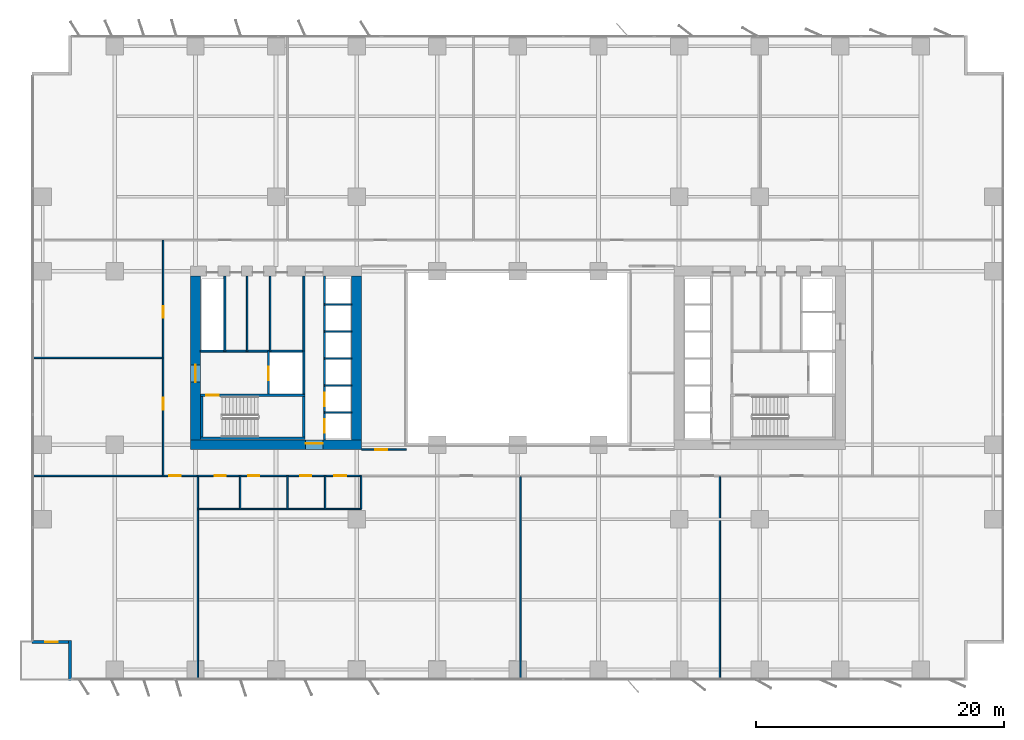
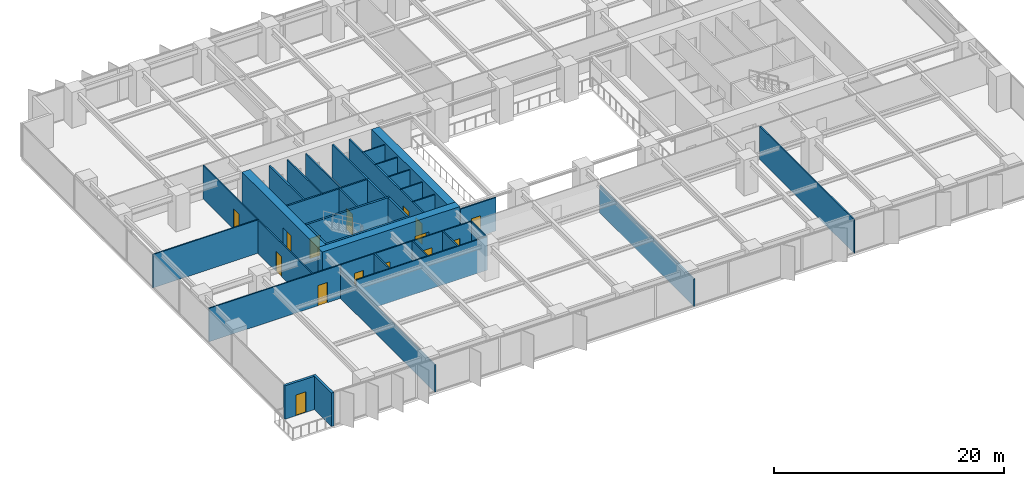
# One storey, part 13 of 21: 36 walls, 15 doors, 15 openings.
"""IFC4 building model written with IfcOpenShell, lengths in metres."""

from ifc_helpers import new_model, si_unit, direction, frame, frame_2d, origin, place, context, subcontext, project, spatial, rectangle, extrude, material, layer, layer_set, type_object, element, fill, save


model = new_model("IFC4")

# Units and contexts
model_context = context("Model", 3, precision=1e-05, world=origin(), true_north=direction((0.0, 1.0)))
body_context = subcontext(model_context, "Body", "Model", "MODEL_VIEW")
ifc_project = project(units=[si_unit("LENGTHUNIT", "METRE"), si_unit("AREAUNIT", "SQUARE_METRE"), si_unit("VOLUMEUNIT", "CUBIC_METRE"), si_unit("PLANEANGLEUNIT", "RADIAN"), si_unit("MASSUNIT", "GRAM", prefix="KILO")], contexts=[model_context])

# Site, building, storey
site_placement = place(None, origin())
site = spatial("IfcSite", under=ifc_project, at=site_placement, CompositionType="ELEMENT")
building_placement = place(site_placement, origin())
building = spatial("IfcBuilding", under=site, at=building_placement, Name="Putna Gate Headquarters", CompositionType="ELEMENT")
storey_placement = place(building_placement, frame((0.0, 0.0, 39.199951171875)))
storey = spatial("IfcBuildingStorey", under=building, at=storey_placement, Name="L08", CompositionType="ELEMENT", Elevation=39.199951171875)

# Wall, opening, door
ifc_material_1 = material(Name="Concrete C60/75", Category="concrete")
ifc_layer_1 = layer(ifc_material_1, 0.800048828125)
ifc_layer_set_1 = layer_set([ifc_layer_1], Name="Concrete C60/75")
wall_type_1 = type_object("IfcWallType", Name="WALL-CORE-800", PredefinedType="SHEAR", material=ifc_layer_set_1)
wall_1_placement = place(storey_placement, frame((12.60009765625, 19.0, 0.0), z_axis=(0.0, 0.0, 1.0), x_axis=(1.0, 0.0, 0.0)))
wall_1 = element("IfcWall", 1, at=wall_1_placement, inside=storey, type_object=wall_type_1, Name="L08 WC Split Core Shear Wall S", PredefinedType="SHEAR", context=body_context, shape_type="SweptSolid", body=[
    extrude(rectangle(XDim=13.7998046875, YDim=0.800048828125, at=frame_2d((6.89990234375, 0.0))), origin(), (0.0, 0.0, 1.0), 3.800048828125),
])
opening_1_placement = place(wall_1_placement, frame((9.280029296875, 0.0, 0.0)))
opening_1 = element("IfcOpeningElement", 2, at=opening_1_placement, cuts=wall_1, Name="Opening FDD-140", PredefinedType="OPENING", context=body_context, shape_type="SweptSolid", body=[
    extrude(rectangle(XDim=1.39990234375, YDim=2.199951171875, at=frame_2d((0.699951171875, 1.10009765625))), frame((0.0, 0.409912109375, 0.0), z_axis=(0.0, -1.0, 0.0), x_axis=(1.0, 0.0, 0.0)), (0.0, 0.0, 1.0), 0.820068359375),
])
ifc_material_2 = material(Name="Double steel fire door", Category="steel")
door_type_1 = type_object("IfcDoorType", Name="DOOR-FIRE-DBL-1400", OperationType="DOUBLE_DOOR_SINGLE_SWING", PredefinedType="DOOR", material=ifc_material_2)
door_1_placement = place(opening_1_placement, origin())
door_1 = element("IfcDoor", 3, at=door_1_placement, inside=storey, type_object=door_type_1, Name="L08 West Lift Lobby South Door", OperationType="DOUBLE_DOOR_SINGLE_SWING", OverallHeight=2.199951171875, OverallWidth=1.39990234375, PredefinedType="DOOR", context=body_context, shape_type="SweptSolid", body=[
    extrude(rectangle(XDim=1.39990234375, YDim=2.199951171875, at=frame_2d((0.699951171875, 1.10009765625))), frame((0.0, 0.125, 0.0), z_axis=(0.0, -1.0, 0.0), x_axis=(1.0, 0.0, 0.0)), (0.0, 0.0, 1.0), 0.050048828125),
])
fill(opening_1, door_1)

wall_2_placement = place(storey_placement, frame((13.0, 19.39990234375, 0.0), z_axis=(0.0, 0.0, 1.0), x_axis=(0.0, 1.0, 0.0)))
wall_2 = element("IfcWall", 4, at=wall_2_placement, inside=storey, type_object=wall_type_1, Name="L08 WC Split Core Shear Wall W", PredefinedType="SHEAR", context=body_context, shape_type="SweptSolid", body=[
    extrude(rectangle(XDim=13.2001953125, YDim=0.800048828125, at=frame_2d((6.60009765625, 0.0))), origin(), (0.0, 0.0, 1.0), 3.800048828125),
])
opening_2_placement = place(wall_2_placement, frame((4.64990234375, 0.0, 0.0)))
opening_2 = element("IfcOpeningElement", 5, at=opening_2_placement, cuts=wall_2, Name="Opening FDD-140", PredefinedType="OPENING", context=body_context, shape_type="SweptSolid", body=[
    extrude(rectangle(XDim=1.39990234375, YDim=2.199951171875, at=frame_2d((0.699951171875, 1.10009765625))), frame((0.0, 0.409912109375, 0.0), z_axis=(0.0, -1.0, 0.0), x_axis=(1.0, 0.0, 0.0)), (0.0, 0.0, 1.0), 0.820068359375),
])
door_2_placement = place(opening_2_placement, origin())
door_2 = element("IfcDoor", 6, at=door_2_placement, inside=storey, type_object=door_type_1, Name="L08 West Firefighting Lobby Door", OperationType="DOUBLE_DOOR_SINGLE_SWING", OverallHeight=2.199951171875, OverallWidth=1.39990234375, PredefinedType="DOOR", context=body_context, shape_type="SweptSolid", body=[
    extrude(rectangle(XDim=1.39990234375, YDim=2.199951171875, at=frame_2d((0.699951171875, 1.10009765625))), frame((0.0, 0.02490234375, 0.0), z_axis=(0.0, -1.0, 0.0), x_axis=(1.0, 0.0, 0.0)), (0.0, 0.0, 1.0), 0.050048828125),
])
fill(opening_2, door_2)

# Walls
wall_3_placement = place(storey_placement, frame((26.0, 19.39990234375, 0.0), z_axis=(0.0, 0.0, 1.0), x_axis=(0.0, 1.0, 0.0)))
element("IfcWall", 7, at=wall_3_placement, inside=storey, type_object=wall_type_1, Name="L08 WC Split Core Shear Wall E", PredefinedType="SHEAR", context=body_context, shape_type="SweptSolid", body=[
    extrude(rectangle(XDim=13.2001953125, YDim=0.800048828125, at=frame_2d((6.60009765625, 0.0))), origin(), (0.0, 0.0, 1.0), 3.800048828125),
])
ifc_material_3 = material(Name="Precast concrete C40/50", Category="concrete")
ifc_layer_2 = layer(ifc_material_3, 0.239990234375)
ifc_layer_set_2 = layer_set([ifc_layer_2], Name="Precast concrete C40/50")
wall_type_2 = type_object("IfcWallType", Name="WALL-EXT-TERR-240", PredefinedType="STANDARD", material=ifc_layer_set_2)
wall_4_placement = place(storey_placement, frame((2.8798828125, 0.0, 0.0), z_axis=(0.0, 0.0, 1.0), x_axis=(0.0, 1.0, 0.0)))
element("IfcWall", 8, at=wall_4_placement, inside=storey, type_object=wall_type_2, Name="L08 Corner Notch Return Wall SW-V", PredefinedType="STANDARD", context=body_context, shape_type="SweptSolid", body=[
    extrude(rectangle(XDim=3.199951171875, YDim=0.239990234375, at=frame_2d((1.60009765625, 0.0))), origin(), (0.0, 0.0, 1.0), 3.550048828125),
])

# Wall, opening, door
wall_5_placement = place(storey_placement, frame((3.0, 3.080078125, 0.0), z_axis=(0.0, 0.0, 1.0), x_axis=(-1.0, 0.0, 0.0)))
wall_5 = element("IfcWall", 9, at=wall_5_placement, inside=storey, type_object=wall_type_2, Name="L08 Corner Notch Return Wall SW-H", PredefinedType="STANDARD", context=body_context, shape_type="SweptSolid", body=[
    extrude(rectangle(XDim=3.199951171875, YDim=0.239990234375, at=frame_2d((1.60009765625, 0.0))), origin(), (0.0, 0.0, 1.0), 3.550048828125),
])
opening_3_placement = place(wall_5_placement, frame((1.10009765625, 0.0, 0.0)))
opening_3 = element("IfcOpeningElement", 10, at=opening_3_placement, cuts=wall_5, Name="Opening TRD-1", PredefinedType="OPENING", context=body_context, shape_type="SweptSolid", body=[
    extrude(rectangle(XDim=1.0, YDim=2.199951171875, at=frame_2d((0.5, 1.10009765625))), frame((0.0, 0.1298828125, 0.0), z_axis=(0.0, -1.0, 0.0), x_axis=(1.0, 0.0, 0.0)), (0.0, 0.0, 1.0), 0.260009765625),
])
ifc_material_4 = material(Name="Thermally broken bronze glazed terrace door")
door_type_2 = type_object("IfcDoorType", Name="DOOR-TERR-EXT-1000", OperationType="NOTDEFINED", PredefinedType="DOOR", material=ifc_material_4)
door_3_placement = place(opening_3_placement, origin())
door_3 = element("IfcDoor", 11, at=door_3_placement, inside=storey, type_object=door_type_2, Name="L08 Spiral Sky Terrace Door SW", OperationType="SINGLE_SWING_LEFT", OverallHeight=2.199951171875, OverallWidth=1.0, PredefinedType="DOOR", context=body_context, shape_type="SweptSolid", body=[
    extrude(rectangle(XDim=1.0, YDim=2.199951171875, at=frame_2d((0.5, 1.10009765625))), frame((0.0, 0.02490234375, 0.0), z_axis=(0.0, -1.0, 0.0), x_axis=(1.0, 0.0, 0.0)), (0.0, 0.0, 1.0), 0.050048828125),
])
fill(opening_3, door_3)

ifc_material_5 = material(Name="Acoustic gypsum board on metal stud")
ifc_layer_3 = layer(ifc_material_5, 0.1201171875)
ifc_layer_set_3 = layer_set([ifc_layer_3], Name="Acoustic gypsum board on metal stud")
wall_type_3 = type_object("IfcWallType", Name="WALL-PART-120", PredefinedType="PARTITIONING", material=ifc_layer_set_3)
wall_6_placement = place(storey_placement, frame((26.39990234375, 18.60009765625, 0.0), z_axis=(0.0, 0.0, 1.0), x_axis=(1.0, 0.0, 0.0)))
wall_6 = element("IfcWall", 12, at=wall_6_placement, inside=storey, type_object=wall_type_3, Name="L08 Interior Wall PART-L08-ATR-W-S", PredefinedType="PARTITIONING", context=body_context, shape_type="SweptSolid", body=[
    extrude(rectangle(XDim=3.60009765625, YDim=0.1201171875, at=frame_2d((1.800048828125, 0.0))), origin(), (0.0, 0.0, 1.0), 3.550048828125),
])
opening_4_placement = place(wall_6_placement, frame((1.10009765625, 0.0, 0.0)))
opening_4 = element("IfcOpeningElement", 13, at=opening_4_placement, cuts=wall_6, Name="Opening ID-95", PredefinedType="OPENING", context=body_context, shape_type="SweptSolid", body=[
    extrude(rectangle(XDim=0.949951171875, YDim=2.14990234375, at=frame_2d((0.47509765625, 1.074951171875))), frame((0.0, 0.070068359375, 0.0), z_axis=(0.0, -1.0, 0.0), x_axis=(1.0, 0.0, 0.0)), (0.0, 0.0, 1.0), 0.14013671875),
])
ifc_material_6 = material(Name="Veneered acoustic timber door", Category="wood")
door_type_3 = type_object("IfcDoorType", Name="DOOR-OFF-950", OperationType="NOTDEFINED", PredefinedType="DOOR", material=ifc_material_6)
door_4_placement = place(opening_4_placement, origin())
door_4 = element("IfcDoor", 14, at=door_4_placement, inside=storey, type_object=door_type_3, Name="L08 West Atrium Gallery Lounge Door", OperationType="SINGLE_SWING_LEFT", OverallHeight=2.14990234375, OverallWidth=0.949951171875, PredefinedType="DOOR", context=body_context, shape_type="SweptSolid", body=[
    extrude(rectangle(XDim=0.949951171875, YDim=2.14990234375, at=frame_2d((0.47509765625, 1.074951171875))), frame((0.0, 0.02490234375, 0.0), z_axis=(0.0, -1.0, 0.0), x_axis=(1.0, 0.0, 0.0)), (0.0, 0.0, 1.0), 0.050048828125),
])
fill(opening_4, door_4)

# Walls
for number, where, z_axis, x_axis, name in (
    (15, (13.199951171875, 0.02001953125, 0.0), (0.0, 0.0, 1.0), (0.0, 1.0, 0.0), "L08 Interior Wall PART-L08-SB-DIV-01"),
    (16, (39.199951171875, 0.02001953125, 0.0), (0.0, 0.0, 1.0), (0.0, 1.0, 0.0), "L08 Interior Wall PART-L08-SB-DIV-02"),
):
    element("IfcWall", number, at=place(storey_placement, frame(where, z_axis=z_axis, x_axis=x_axis)), inside=storey, type_object=wall_type_3, Name=name, PredefinedType="PARTITIONING", context=body_context, shape_type="SweptSolid", body=[
        extrude(rectangle(XDim=16.419921875, YDim=0.1201171875, at=frame_2d((8.2099609375, 0.0))), origin(), (0.0, 0.0, 1.0), 2.900146484375),
    ])
wall_7_placement = place(storey_placement, frame((55.296142578125, 0.02001953125, 0.0), z_axis=(0.0, 0.0, 1.0), x_axis=(0.0, 1.0, 0.0)))
element("IfcWall", 17, at=wall_7_placement, inside=storey, type_object=wall_type_3, Name="L08 Interior Wall PART-L08-SB-DIV-03", PredefinedType="PARTITIONING", context=body_context, shape_type="SweptSolid", body=[
    extrude(rectangle(XDim=16.419921875, YDim=0.1201171875, at=frame_2d((8.2099609375, 0.0))), origin(), (0.0, 0.0, 1.0), 3.550048828125),
])
wall_8_placement = place(storey_placement, frame((-0.179931640625, 26.0, 0.0), z_axis=(0.0, 0.0, 1.0), x_axis=(1.0, 0.0, 0.0)))
element("IfcWall", 18, at=wall_8_placement, inside=storey, type_object=wall_type_3, Name="L08 Interior Wall PART-L08-WW-DIV-1", PredefinedType="PARTITIONING", context=body_context, shape_type="SweptSolid", body=[
    extrude(rectangle(XDim=10.579833984375, YDim=0.1201171875, at=frame_2d((5.2900390625, 0.0))), origin(), (0.0, 0.0, 1.0), 3.550048828125),
])
ifc_material_7 = material(Name="Fire-rated shaftwall gypsum board on metal stud")
ifc_layer_4 = layer(ifc_material_7, 0.1201171875)
ifc_layer_set_4 = layer_set([ifc_layer_4], Name="Fire-rated shaftwall gypsum board on metal stud")
wall_type_4 = type_object("IfcWallType", Name="WALL-PART-120-EI120", PredefinedType="PARTITIONING", material=ifc_layer_set_4)
for number, where, z_axis, x_axis, name in (
    (19, (23.39990234375, 21.610107421875, 0.0), (0.0, 0.0, 1.0), (1.0, 0.0, 0.0), "L08 Interior Wall CWINT-L08-WC-LF01-DIV"),
    (20, (23.39990234375, 23.780029296875, 0.0), (0.0, 0.0, 1.0), (1.0, 0.0, 0.0), "L08 Interior Wall CWINT-L08-WC-LF02-DIV"),
    (21, (23.39990234375, 25.949951171875, 0.0), (0.0, 0.0, 1.0), (1.0, 0.0, 0.0), "L08 Interior Wall CWINT-L08-WC-LF05-DIV"),
    (22, (23.39990234375, 28.1201171875, 0.0), (0.0, 0.0, 1.0), (1.0, 0.0, 0.0), "L08 Interior Wall CWINT-L08-WC-LF06-DIV"),
    (23, (23.39990234375, 30.31005859375, 0.0), (0.0, 0.0, 1.0), (1.0, 0.0, 0.0), "L08 Interior Wall CWINT-L08-WC-LF09-DIV"),
):
    element("IfcWall", number, at=place(storey_placement, frame(where, z_axis=z_axis, x_axis=x_axis)), inside=storey, type_object=wall_type_4, Name=name, PredefinedType="PARTITIONING", context=body_context, shape_type="SweptSolid", body=[
        extrude(rectangle(XDim=2.2001953125, YDim=0.1201171875, at=frame_2d((1.10009765625, 0.0))), origin(), (0.0, 0.0, 1.0), 3.550048828125),
    ])
ifc_material_8 = material(Name="Fire-rated gypsum board on metal stud")
ifc_layer_5 = layer(ifc_material_8, 0.1201171875)
ifc_layer_set_5 = layer_set([ifc_layer_5], Name="Fire-rated gypsum board on metal stud")
wall_type_5 = type_object("IfcWallType", Name="WALL-PART-120-RATED", PredefinedType="PARTITIONING", material=ifc_layer_set_5)
for number, where, z_axis, x_axis, name in (
    (24, (17.169921875, 26.56005859375, 0.0), (0.0, 0.0, 1.0), (0.0, 1.0, 0.0), "L08 Interior Wall CWINT-L08-WC-K2-D1"),
    (25, (19.02001953125, 26.56005859375, 0.0), (0.0, 0.0, 1.0), (0.0, 1.0, 0.0), "L08 Interior Wall CWINT-L08-WC-K2-D2"),
):
    element("IfcWall", number, at=place(storey_placement, frame(where, z_axis=z_axis, x_axis=x_axis)), inside=storey, type_object=wall_type_5, Name=name, PredefinedType="PARTITIONING", context=body_context, shape_type="SweptSolid", body=[
        extrude(rectangle(XDim=6.0400390625, YDim=0.1201171875, at=frame_2d((3.02001953125, 0.0))), origin(), (0.0, 0.0, 1.0), 3.550048828125),
    ])

# Wall, openings, doors
wall_9_placement = place(storey_placement, frame((13.199951171875, 16.5, 0.0), z_axis=(0.0, 0.0, 1.0), x_axis=(1.0, 0.0, 0.0)))
wall_9 = element("IfcWall", 26, at=wall_9_placement, inside=storey, type_object=wall_type_5, Name="L08 Interior Wall PART-L08-SAN-CW", PredefinedType="PARTITIONING", context=body_context, shape_type="SweptSolid", body=[
    extrude(rectangle(XDim=13.16015625, YDim=0.1201171875, at=frame_2d((6.580078125, 0.0))), origin(), (0.0, 0.0, 1.0), 3.550048828125),
])
opening_5_placement = place(wall_9_placement, frame((1.35009765625, 0.0, 0.0)))
opening_5 = element("IfcOpeningElement", 27, at=opening_5_placement, cuts=wall_9, Name="Opening FD-90", PredefinedType="OPENING", context=body_context, shape_type="SweptSolid", body=[
    extrude(rectangle(XDim=0.89990234375, YDim=2.14990234375, at=frame_2d((0.449951171875, 1.074951171875))), frame((0.0, 0.070068359375, 0.0), z_axis=(0.0, -1.0, 0.0), x_axis=(1.0, 0.0, 0.0)), (0.0, 0.0, 1.0), 0.14013671875),
])
opening_6_placement = place(wall_9_placement, frame((4.050048828125, 0.0, 0.0)))
opening_6 = element("IfcOpeningElement", 28, at=opening_6_placement, cuts=wall_9, Name="Opening FD-90", PredefinedType="OPENING", context=body_context, shape_type="SweptSolid", body=[
    extrude(rectangle(XDim=0.89990234375, YDim=2.14990234375, at=frame_2d((0.449951171875, 1.074951171875))), frame((0.0, 0.070068359375, 0.0), z_axis=(0.0, -1.0, 0.0), x_axis=(1.0, 0.0, 0.0)), (0.0, 0.0, 1.0), 0.14013671875),
])
opening_7_placement = place(wall_9_placement, frame((8.25, 0.0, 0.0)))
opening_7 = element("IfcOpeningElement", 29, at=opening_7_placement, cuts=wall_9, Name="Opening FD-90", PredefinedType="OPENING", context=body_context, shape_type="SweptSolid", body=[
    extrude(rectangle(XDim=0.89990234375, YDim=2.14990234375, at=frame_2d((0.449951171875, 1.074951171875))), frame((0.0, 0.070068359375, 0.0), z_axis=(0.0, -1.0, 0.0), x_axis=(1.0, 0.0, 0.0)), (0.0, 0.0, 1.0), 0.14013671875),
])
opening_8_placement = place(wall_9_placement, frame((11.0, 0.0, 0.0)))
opening_8 = element("IfcOpeningElement", 30, at=opening_8_placement, cuts=wall_9, Name="Opening FD-95", PredefinedType="OPENING", context=body_context, shape_type="SweptSolid", body=[
    extrude(rectangle(XDim=0.949951171875, YDim=2.14990234375, at=frame_2d((0.47509765625, 1.074951171875))), frame((0.0, 0.070068359375, 0.0), z_axis=(0.0, -1.0, 0.0), x_axis=(1.0, 0.0, 0.0)), (0.0, 0.0, 1.0), 0.14013671875),
])
ifc_material_9 = material(Name="Acoustic washroom fire door")
door_type_4 = type_object("IfcDoorType", Name="DOOR-FIRE-900", OperationType="NOTDEFINED", PredefinedType="DOOR", material=ifc_material_9)
door_5_placement = place(opening_5_placement, origin())
door_5 = element("IfcDoor", 31, at=door_5_placement, inside=storey, type_object=door_type_4, Name="L08 Washroom Male Door", OperationType="SINGLE_SWING_RIGHT", OverallHeight=2.14990234375, OverallWidth=0.89990234375, PredefinedType="DOOR", context=body_context, shape_type="SweptSolid", body=[
    extrude(rectangle(XDim=0.89990234375, YDim=2.14990234375, at=frame_2d((0.449951171875, 1.074951171875))), frame((0.0, 0.02490234375, 0.0), z_axis=(0.0, -1.0, 0.0), x_axis=(1.0, 0.0, 0.0)), (0.0, 0.0, 1.0), 0.050048828125),
])
fill(opening_5, door_5)
door_6_placement = place(opening_6_placement, origin())
door_6 = element("IfcDoor", 32, at=door_6_placement, inside=storey, type_object=door_type_4, Name="L08 Washroom Female Door", OperationType="SINGLE_SWING_LEFT", OverallHeight=2.14990234375, OverallWidth=0.89990234375, PredefinedType="DOOR", context=body_context, shape_type="SweptSolid", body=[
    extrude(rectangle(XDim=0.89990234375, YDim=2.14990234375, at=frame_2d((0.449951171875, 1.074951171875))), frame((0.0, 0.02490234375, 0.0), z_axis=(0.0, -1.0, 0.0), x_axis=(1.0, 0.0, 0.0)), (0.0, 0.0, 1.0), 0.050048828125),
])
fill(opening_6, door_6)
door_7_placement = place(opening_7_placement, origin())
door_7 = element("IfcDoor", 33, at=door_7_placement, inside=storey, type_object=door_type_4, Name="L08 Accessible WC Door", OperationType="SINGLE_SWING_RIGHT", OverallHeight=2.14990234375, OverallWidth=0.89990234375, PredefinedType="DOOR", context=body_context, shape_type="SweptSolid", body=[
    extrude(rectangle(XDim=0.89990234375, YDim=2.14990234375, at=frame_2d((0.449951171875, 1.074951171875))), frame((0.0, 0.02490234375, 0.0), z_axis=(0.0, -1.0, 0.0), x_axis=(1.0, 0.0, 0.0)), (0.0, 0.0, 1.0), 0.050048828125),
])
fill(opening_7, door_7)
ifc_material_10 = material(Name="Acoustic timber fire door", Category="wood")
door_type_5 = type_object("IfcDoorType", Name="DOOR-FIRE-950", OperationType="NOTDEFINED", PredefinedType="DOOR", material=ifc_material_10)
door_8_placement = place(opening_8_placement, origin())
door_8 = element("IfcDoor", 34, at=door_8_placement, inside=storey, type_object=door_type_5, Name="L08 Staff Pantry and Tea Point Door", OperationType="SINGLE_SWING_LEFT", OverallHeight=2.14990234375, OverallWidth=0.949951171875, PredefinedType="DOOR", context=body_context, shape_type="SweptSolid", body=[
    extrude(rectangle(XDim=0.949951171875, YDim=2.14990234375, at=frame_2d((0.47509765625, 1.074951171875))), frame((0.0, 0.02490234375, 0.0), z_axis=(0.0, -1.0, 0.0), x_axis=(1.0, 0.0, 0.0)), (0.0, 0.0, 1.0), 0.050048828125),
])
fill(opening_8, door_8)

# Walls
wall_10_placement = place(storey_placement, frame((13.199951171875, 13.820068359375, 0.0), z_axis=(0.0, 0.0, 1.0), x_axis=(1.0, 0.0, 0.0)))
element("IfcWall", 35, at=wall_10_placement, inside=storey, type_object=wall_type_5, Name="L08 Interior Wall PART-L08-SAN-BACK", PredefinedType="PARTITIONING", context=body_context, shape_type="SweptSolid", body=[
    extrude(rectangle(XDim=13.16015625, YDim=0.1201171875, at=frame_2d((6.580078125, 0.0))), origin(), (0.0, 0.0, 1.0), 3.550048828125),
])
for number, where, z_axis, x_axis, name in (
    (36, (16.60009765625, 13.820068359375, 0.0), (0.0, 0.0, 1.0), (0.0, 1.0, 0.0), "L08 Interior Wall PART-L08-SAN-DIV-1"),
    (37, (20.419921875, 13.820068359375, 0.0), (0.0, 0.0, 1.0), (0.0, 1.0, 0.0), "L08 Interior Wall PART-L08-SAN-DIV-2"),
    (38, (23.4599609375, 13.820068359375, 0.0), (0.0, 0.0, 1.0), (0.0, 1.0, 0.0), "L08 Interior Wall PART-L08-SAN-DIV-3"),
    (39, (26.360107421875, 13.820068359375, 0.0), (0.0, 0.0, 1.0), (0.0, 1.0, 0.0), "L08 Interior Wall PART-L08-SAN-DIV-4"),
):
    element("IfcWall", number, at=place(storey_placement, frame(where, z_axis=z_axis, x_axis=x_axis)), inside=storey, type_object=wall_type_5, Name=name, PredefinedType="PARTITIONING", context=body_context, shape_type="SweptSolid", body=[
        extrude(rectangle(XDim=2.679931640625, YDim=0.1201171875, at=frame_2d((1.33984375, 0.0))), origin(), (0.0, 0.0, 1.0), 3.550048828125),
    ])

# Wall, opening, door
wall_11_placement = place(storey_placement, frame((-0.02001953125, 16.5, 0.0), z_axis=(0.0, 0.0, 1.0), x_axis=(1.0, 0.0, 0.0)))
wall_11 = element("IfcWall", 40, at=wall_11_placement, inside=storey, type_object=wall_type_5, Name="L08 Interior Wall PART-L08-SB-CW-01", PredefinedType="PARTITIONING", context=body_context, shape_type="SweptSolid", body=[
    extrude(rectangle(XDim=13.159912109375, YDim=0.1201171875, at=frame_2d((6.580078125, 0.0))), origin(), (0.0, 0.0, 1.0), 3.550048828125),
])
opening_9_placement = place(wall_11_placement, frame((10.89990234375, 0.0, 0.0)))
opening_9 = element("IfcOpeningElement", 41, at=opening_9_placement, cuts=wall_11, Name="Opening FD-95", PredefinedType="OPENING", context=body_context, shape_type="SweptSolid", body=[
    extrude(rectangle(XDim=0.949951171875, YDim=2.14990234375, at=frame_2d((0.47509765625, 1.074951171875))), frame((0.0, 0.070068359375, 0.0), z_axis=(0.0, -1.0, 0.0), x_axis=(1.0, 0.0, 0.0)), (0.0, 0.0, 1.0), 0.14013671875),
])
door_9_placement = place(opening_9_placement, origin())
door_9 = element("IfcDoor", 42, at=door_9_placement, inside=storey, type_object=door_type_5, Name="L08 Quiet Wellness Focus Studio 2 Door", OperationType="SINGLE_SWING_RIGHT", OverallHeight=2.14990234375, OverallWidth=0.949951171875, PredefinedType="DOOR", context=body_context, shape_type="SweptSolid", body=[
    extrude(rectangle(XDim=0.949951171875, YDim=2.14990234375, at=frame_2d((0.47509765625, 1.074951171875))), frame((0.0, 0.02490234375, 0.0), z_axis=(0.0, -1.0, 0.0), x_axis=(1.0, 0.0, 0.0)), (0.0, 0.0, 1.0), 0.050048828125),
])
fill(opening_9, door_9)

wall_12_placement = place(storey_placement, frame((10.39990234375, 16.5, 0.0), z_axis=(0.0, 0.0, 1.0), x_axis=(0.0, 1.0, 0.0)))
wall_12 = element("IfcWall", 43, at=wall_12_placement, inside=storey, type_object=wall_type_5, Name="L08 Interior Wall PART-L08-WW-CW-1", PredefinedType="PARTITIONING", context=body_context, shape_type="SweptSolid", body=[
    extrude(rectangle(XDim=9.5, YDim=0.1201171875, at=frame_2d((4.75, 0.0))), origin(), (0.0, 0.0, 1.0), 3.550048828125),
])
opening_10_placement = place(wall_12_placement, frame((5.324951171875, 0.0, 0.0)))
opening_10 = element("IfcOpeningElement", 44, at=opening_10_placement, cuts=wall_12, Name="Opening FD-95", PredefinedType="OPENING", context=body_context, shape_type="SweptSolid", body=[
    extrude(rectangle(XDim=0.949951171875, YDim=2.14990234375, at=frame_2d((0.47509765625, 1.074951171875))), frame((0.0, 0.070068359375, 0.0), z_axis=(0.0, -1.0, 0.0), x_axis=(1.0, 0.0, 0.0)), (0.0, 0.0, 1.0), 0.14013671875),
])
door_10_placement = place(opening_10_placement, origin())
door_10 = element("IfcDoor", 45, at=door_10_placement, inside=storey, type_object=door_type_5, Name="L08 West Project Meeting Room 1 Door", OperationType="SINGLE_SWING_RIGHT", OverallHeight=2.14990234375, OverallWidth=0.949951171875, PredefinedType="DOOR", context=body_context, shape_type="SweptSolid", body=[
    extrude(rectangle(XDim=0.949951171875, YDim=2.14990234375, at=frame_2d((0.47509765625, 1.074951171875))), frame((0.0, 0.02490234375, 0.0), z_axis=(0.0, -1.0, 0.0), x_axis=(1.0, 0.0, 0.0)), (0.0, 0.0, 1.0), 0.050048828125),
])
fill(opening_10, door_10)

wall_13_placement = place(storey_placement, frame((10.39990234375, 26.0, 0.0), z_axis=(0.0, 0.0, 1.0), x_axis=(0.0, 1.0, 0.0)))
wall_13 = element("IfcWall", 46, at=wall_13_placement, inside=storey, type_object=wall_type_5, Name="L08 Interior Wall PART-L08-WW-CW-2", PredefinedType="PARTITIONING", context=body_context, shape_type="SweptSolid", body=[
    extrude(rectangle(XDim=9.5, YDim=0.1201171875, at=frame_2d((4.75, 0.0))), origin(), (0.0, 0.0, 1.0), 3.550048828125),
])
opening_11_placement = place(wall_13_placement, frame((3.22509765625, 0.0, 0.0)))
opening_11 = element("IfcOpeningElement", 47, at=opening_11_placement, cuts=wall_13, Name="Opening FD-95", PredefinedType="OPENING", context=body_context, shape_type="SweptSolid", body=[
    extrude(rectangle(XDim=0.949951171875, YDim=2.14990234375, at=frame_2d((0.47509765625, 1.074951171875))), frame((0.0, 0.070068359375, 0.0), z_axis=(0.0, -1.0, 0.0), x_axis=(1.0, 0.0, 0.0)), (0.0, 0.0, 1.0), 0.14013671875),
])
door_11_placement = place(opening_11_placement, origin())
door_11 = element("IfcDoor", 48, at=door_11_placement, inside=storey, type_object=door_type_5, Name="L08 West Project Meeting Room 2 Door", OperationType="SINGLE_SWING_LEFT", OverallHeight=2.14990234375, OverallWidth=0.949951171875, PredefinedType="DOOR", context=body_context, shape_type="SweptSolid", body=[
    extrude(rectangle(XDim=0.949951171875, YDim=2.14990234375, at=frame_2d((0.47509765625, 1.074951171875))), frame((0.0, 0.02490234375, 0.0), z_axis=(0.0, -1.0, 0.0), x_axis=(1.0, 0.0, 0.0)), (0.0, 0.0, 1.0), 0.050048828125),
])
fill(opening_11, door_11)

# Wall
ifc_material_11 = material(Name="Concrete C40/50", Category="concrete")
ifc_layer_6 = layer(ifc_material_11, 0.159912109375)
ifc_layer_set_6 = layer_set([ifc_layer_6], Name="Concrete C40/50")
wall_type_6 = type_object("IfcWallType", Name="WALL-SHAFT-160", PredefinedType="STANDARD", material=ifc_layer_set_6)
wall_14_placement = place(storey_placement, frame((21.739990234375, 23.090087890625, 0.0), z_axis=(0.0, 0.0, 1.0), x_axis=(0.0, 1.0, 0.0)))
element("IfcWall", 49, at=wall_14_placement, inside=storey, type_object=wall_type_6, Name="L08 Interior Wall CWINT-L08-WC-FFL-E", PredefinedType="STANDARD", context=body_context, shape_type="SweptSolid", body=[
    extrude(rectangle(XDim=3.469970703125, YDim=0.159912109375, at=frame_2d((1.73486328125, 0.0))), origin(), (0.0, 0.0, 1.0), 3.550048828125),
])

# Wall, opening, door
wall_15_placement = place(storey_placement, frame((18.8798828125, 23.090087890625, 0.0), z_axis=(0.0, 0.0, 1.0), x_axis=(0.0, 1.0, 0.0)))
wall_15 = element("IfcWall", 50, at=wall_15_placement, inside=storey, type_object=wall_type_6, Name="L08 Interior Wall CWINT-L08-WC-LF13-W", PredefinedType="STANDARD", context=body_context, shape_type="SweptSolid", body=[
    extrude(rectangle(XDim=3.469970703125, YDim=0.159912109375, at=frame_2d((1.73486328125, 0.0))), origin(), (0.0, 0.0, 1.0), 3.550048828125),
])
opening_12_placement = place(wall_15_placement, frame((1.10009765625, 0.0, 0.0)))
opening_12 = element("IfcOpeningElement", 51, at=opening_12_placement, cuts=wall_15, Name="Opening LD-1", PredefinedType="OPENING", context=body_context, shape_type="SweptSolid", body=[
    extrude(rectangle(XDim=1.10009765625, YDim=2.199951171875, at=frame_2d((0.550048828125, 1.10009765625))), frame((0.0, 0.08984375, 0.0), z_axis=(0.0, -1.0, 0.0), x_axis=(1.0, 0.0, 0.0)), (0.0, 0.0, 1.0), 0.179931640625),
])
ifc_material_12 = material(Name="Brushed bronze stainless lift landing door")
door_type_6 = type_object("IfcDoorType", Name="DOOR-LIFT-1100", OperationType="DOUBLE_DOOR_SLIDING", PredefinedType="DOOR", material=ifc_material_12)
door_12_placement = place(opening_12_placement, origin())
door_12 = element("IfcDoor", 52, at=door_12_placement, inside=storey, type_object=door_type_6, Name="L08 Lift Landing Door LD-13", OperationType="DOUBLE_DOOR_SLIDING", OverallHeight=2.199951171875, OverallWidth=1.10009765625, PredefinedType="DOOR", context=body_context, shape_type="SweptSolid", body=[
    extrude(rectangle(XDim=1.10009765625, YDim=2.199951171875, at=frame_2d((0.550048828125, 1.10009765625))), frame((0.0, 0.02490234375, 0.0), z_axis=(0.0, -1.0, 0.0), x_axis=(1.0, 0.0, 0.0)), (0.0, 0.0, 1.0), 0.050048828125),
])
fill(opening_12, door_12)

# Walls
wall_16_placement = place(storey_placement, frame((13.39990234375, 26.56005859375, 0.0), z_axis=(0.0, 0.0, 1.0), x_axis=(1.0, 0.0, 0.0)))
element("IfcWall", 53, at=wall_16_placement, inside=storey, type_object=wall_type_6, Name="L08 Interior Wall CWINT-L08-WC-FFL-N", PredefinedType="STANDARD", context=body_context, shape_type="SweptSolid", body=[
    extrude(rectangle(XDim=8.340087890625, YDim=0.159912109375, at=frame_2d((4.169921875, 0.0))), origin(), (0.0, 0.0, 1.0), 3.550048828125),
])
for number, where, z_axis, x_axis, name in (
    (54, (15.3798828125, 26.56005859375, 0.0), (0.0, 0.0, 1.0), (0.0, 1.0, 0.0), "L08 Interior Wall CWINT-L08-WC-RISER-E"),
    (55, (21.739990234375, 26.56005859375, 0.0), (0.0, 0.0, 1.0), (0.0, 1.0, 0.0), "L08 Interior Wall CWINT-L08-WC-LOB-W"),
):
    element("IfcWall", number, at=place(storey_placement, frame(where, z_axis=z_axis, x_axis=x_axis)), inside=storey, type_object=wall_type_6, Name=name, PredefinedType="STANDARD", context=body_context, shape_type="SweptSolid", body=[
        extrude(rectangle(XDim=6.0400390625, YDim=0.159912109375, at=frame_2d((3.02001953125, 0.0))), origin(), (0.0, 0.0, 1.0), 3.550048828125),
    ])

# Wall, openings, doors
wall_17_placement = place(storey_placement, frame((23.39990234375, 19.39990234375, 0.0), z_axis=(0.0, 0.0, 1.0), x_axis=(0.0, 1.0, 0.0)))
wall_17 = element("IfcWall", 56, at=wall_17_placement, inside=storey, type_object=wall_type_6, Name="L08 Interior Wall CWINT-L08-WC-PL-WALL", PredefinedType="STANDARD", context=body_context, shape_type="SweptSolid", body=[
    extrude(rectangle(XDim=13.2001953125, YDim=0.159912109375, at=frame_2d((6.60009765625, 0.0))), origin(), (0.0, 0.0, 1.0), 3.550048828125),
])
opening_13_placement = place(wall_17_placement, frame((0.550048828125, 0.0, 0.0)))
opening_13 = element("IfcOpeningElement", 57, at=opening_13_placement, cuts=wall_17, Name="Opening LD-1", PredefinedType="OPENING", context=body_context, shape_type="SweptSolid", body=[
    extrude(rectangle(XDim=1.10009765625, YDim=2.199951171875, at=frame_2d((0.550048828125, 1.10009765625))), frame((0.0, 0.08984375, 0.0), z_axis=(0.0, -1.0, 0.0), x_axis=(1.0, 0.0, 0.0)), (0.0, 0.0, 1.0), 0.179931640625),
])
opening_14_placement = place(wall_17_placement, frame((2.699951171875, 0.0, 0.0)))
opening_14 = element("IfcOpeningElement", 58, at=opening_14_placement, cuts=wall_17, Name="Opening LD-1", PredefinedType="OPENING", context=body_context, shape_type="SweptSolid", body=[
    extrude(rectangle(XDim=1.10009765625, YDim=2.199951171875, at=frame_2d((0.550048828125, 1.10009765625))), frame((0.0, 0.08984375, 0.0), z_axis=(0.0, -1.0, 0.0), x_axis=(1.0, 0.0, 0.0)), (0.0, 0.0, 1.0), 0.179931640625),
])
door_13_placement = place(opening_13_placement, origin())
door_13 = element("IfcDoor", 59, at=door_13_placement, inside=storey, type_object=door_type_6, Name="L08 Lift Landing Door LD-01", OperationType="DOUBLE_DOOR_SLIDING", OverallHeight=2.199951171875, OverallWidth=1.10009765625, PredefinedType="DOOR", context=body_context, shape_type="SweptSolid", body=[
    extrude(rectangle(XDim=1.10009765625, YDim=2.199951171875, at=frame_2d((0.550048828125, 1.10009765625))), frame((0.0, 0.02490234375, 0.0), z_axis=(0.0, -1.0, 0.0), x_axis=(1.0, 0.0, 0.0)), (0.0, 0.0, 1.0), 0.050048828125),
])
fill(opening_13, door_13)
door_14_placement = place(opening_14_placement, origin())
door_14 = element("IfcDoor", 60, at=door_14_placement, inside=storey, type_object=door_type_6, Name="L08 Lift Landing Door LD-02", OperationType="DOUBLE_DOOR_SLIDING", OverallHeight=2.199951171875, OverallWidth=1.10009765625, PredefinedType="DOOR", context=body_context, shape_type="SweptSolid", body=[
    extrude(rectangle(XDim=1.10009765625, YDim=2.199951171875, at=frame_2d((0.550048828125, 1.10009765625))), frame((0.0, 0.02490234375, 0.0), z_axis=(0.0, -1.0, 0.0), x_axis=(1.0, 0.0, 0.0)), (0.0, 0.0, 1.0), 0.050048828125),
])
fill(opening_14, door_14)

# Wall
ifc_layer_7 = layer(ifc_material_11, 0.199951171875)
ifc_layer_set_7 = layer_set([ifc_layer_7], Name="Concrete C40/50")
wall_type_7 = type_object("IfcWallType", Name="WALL-SHAFT-RC200", PredefinedType="SHEAR", material=ifc_layer_set_7)
wall_18_placement = place(storey_placement, frame((13.409912109375, 19.510009765625, 0.0), z_axis=(0.0, 0.0, 1.0), x_axis=(1.0, 0.0, 0.0)))
element("IfcWall", 61, at=wall_18_placement, inside=storey, type_object=wall_type_7, Name="L08 Stair ST1 Structural Shaft Wall S", PredefinedType="SHEAR", context=body_context, shape_type="SweptSolid", body=[
    extrude(rectangle(XDim=8.43017578125, YDim=0.199951171875, at=frame_2d((4.215087890625, 0.0))), origin(), (0.0, 0.0, 1.0), 3.800048828125),
])

# Wall, opening, door
wall_19_placement = place(storey_placement, frame((13.409912109375, 22.989990234375, 0.0), z_axis=(0.0, 0.0, 1.0), x_axis=(1.0, 0.0, 0.0)))
wall_19 = element("IfcWall", 62, at=wall_19_placement, inside=storey, type_object=wall_type_7, Name="L08 Stair ST1 Structural Shaft Wall N", PredefinedType="SHEAR", context=body_context, shape_type="SweptSolid", body=[
    extrude(rectangle(XDim=8.43017578125, YDim=0.199951171875, at=frame_2d((4.215087890625, 0.0))), origin(), (0.0, 0.0, 1.0), 3.800048828125),
])
opening_15_placement = place(wall_19_placement, frame((0.449951171875, 0.0, 0.0)))
opening_15 = element("IfcOpeningElement", 63, at=opening_15_placement, cuts=wall_19, Name="Opening FD-100", PredefinedType="OPENING", context=body_context, shape_type="SweptSolid", body=[
    extrude(rectangle(XDim=1.0, YDim=2.14990234375, at=frame_2d((0.5, 1.074951171875))), frame((0.0, 0.10986328125, 0.0), z_axis=(0.0, -1.0, 0.0), x_axis=(1.0, 0.0, 0.0)), (0.0, 0.0, 1.0), 0.219970703125),
])
ifc_material_13 = material(Name="Powder-coated steel fire door", Category="steel")
door_type_7 = type_object("IfcDoorType", Name="DOOR-FIRE-1000", OperationType="NOTDEFINED", PredefinedType="DOOR", material=ifc_material_13)
door_15_placement = place(opening_15_placement, origin())
door_15 = element("IfcDoor", 64, at=door_15_placement, inside=storey, type_object=door_type_7, Name="L08 Stair ST1 Fire Door", OperationType="SINGLE_SWING_LEFT", OverallHeight=2.14990234375, OverallWidth=1.0, PredefinedType="DOOR", context=body_context, shape_type="SweptSolid", body=[
    extrude(rectangle(XDim=1.0, YDim=2.14990234375, at=frame_2d((0.5, 1.074951171875))), frame((0.0, 0.02490234375, 0.0), z_axis=(0.0, -1.0, 0.0), x_axis=(1.0, 0.0, 0.0)), (0.0, 0.0, 1.0), 0.050048828125),
])
fill(opening_15, door_15)

# Walls
for number, where, z_axis, x_axis, name in (
    (65, (13.510009765625, 19.610107421875, 0.0), (0.0, 0.0, 1.0), (0.0, 1.0, 0.0), "L08 Stair ST1 Structural Shaft Wall W"),
    (66, (21.739990234375, 19.610107421875, 0.0), (0.0, 0.0, 1.0), (0.0, 1.0, 0.0), "L08 Stair ST1 Structural Shaft Wall E"),
):
    element("IfcWall", number, at=place(storey_placement, frame(where, z_axis=z_axis, x_axis=x_axis)), inside=storey, type_object=wall_type_7, Name=name, PredefinedType="SHEAR", context=body_context, shape_type="SweptSolid", body=[
        extrude(rectangle(XDim=3.27978515625, YDim=0.199951171875, at=frame_2d((1.639892578125, 0.0))), origin(), (0.0, 0.0, 1.0), 3.800048828125),
    ])

save(model, "model.ifc")
